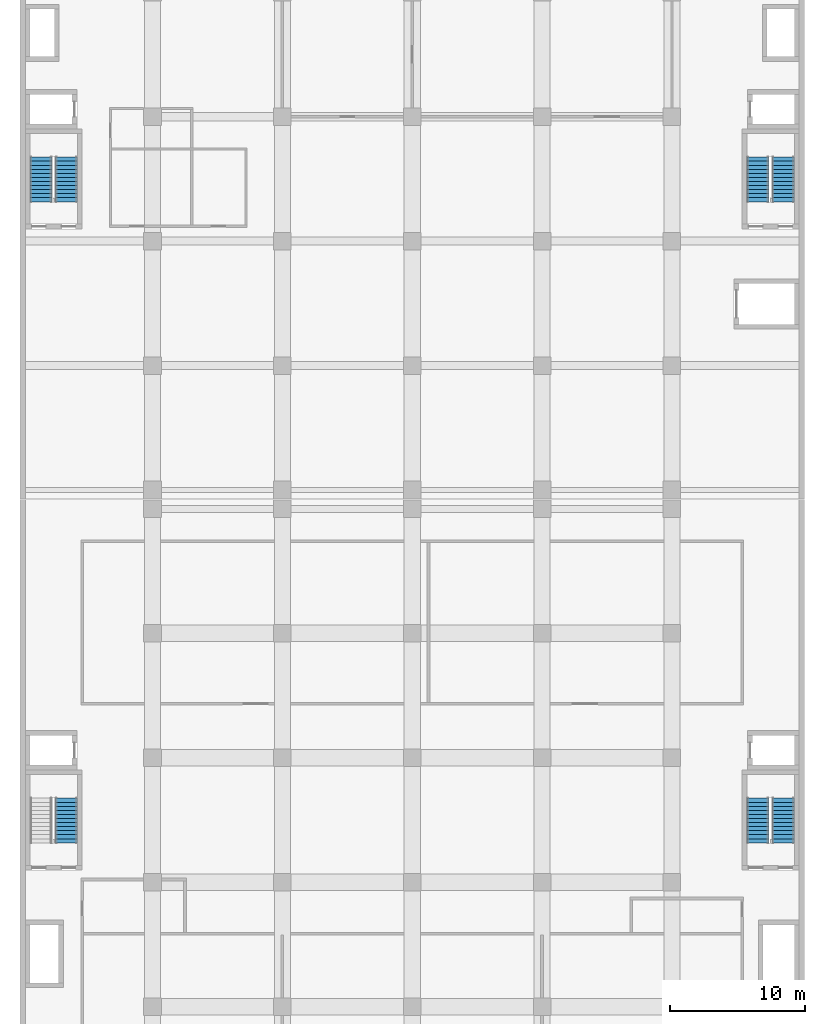
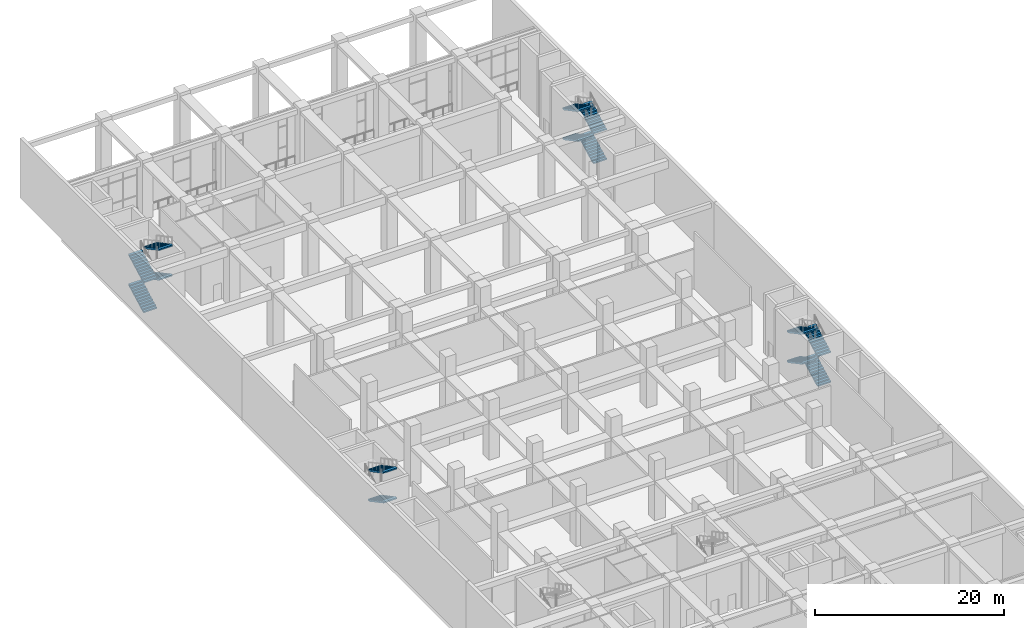
# One storey, part 18 of 33: 14 stair flights, 4 elements without a shape of their own.
"""IFC4 building model written with IfcOpenShell, lengths in metres."""

import ifcopenshell
import ifcopenshell.guid

model = None  # the IFC model being written
_history = None  # IfcOwnerHistory: only IFC2X3 demands one
_inside = {}  # id of a spatial element -> (the spatial element, [elements in it])
_under = {}  # id of a project, library or spatial element -> (it, [spatial elements below it])
_declared = {}  # id of a project -> (the project, [libraries it declares])
_typed = {}  # id of a type object -> (the type object, [elements of that type])
_made_of = {}  # id of a material, layer set ... -> (it, [elements and type objects made of it])


def new_model(schema):
    """Start an empty IFC model of exactly this schema.

    Asked for "IFC4X3", IfcOpenShell would pick the latest addendum, in which some entities
    have other attributes; the version numbers below select the first issue.
    IFC2X3 requires an IfcOwnerHistory on every rooted entity: one is made here for all.
    """
    global model, _history
    if schema == "IFC4X3":
        model = ifcopenshell.file(schema_version=(4, 3, 0, 0))
    else:
        model = ifcopenshell.file(schema=schema)
    _inside.clear()
    _under.clear()
    _declared.clear()
    _typed.clear()
    _made_of.clear()
    _history = None
    if model.schema == "IFC2X3":
        org = make("IfcOrganization", Name="unknown")
        user = make(
            "IfcPersonAndOrganization",
            ThePerson=make("IfcPerson", FamilyName="unknown"),
            TheOrganization=org,
        )
        app = make(
            "IfcApplication",
            ApplicationDeveloper=org,
            Version="unknown",
            ApplicationFullName="unknown",
            ApplicationIdentifier="unknown",
        )
        _history = make(
            "IfcOwnerHistory",
            OwningUser=user,
            OwningApplication=app,
            ChangeAction="ADDED",
            CreationDate=0,
        )
    return model


def make(cls, **values):
    """One entity of the class cls with the attributes given. An attribute that is None is left unset."""
    return model.create_entity(
        cls, **{name: value for name, value in values.items() if value is not None}
    )


def rooted(cls, **values):
    """An entity with a GlobalId (a new one), such as an element, a storey or a relation."""
    return make(cls, GlobalId=ifcopenshell.guid.new(), OwnerHistory=_history, **values)


def si_unit(unit_type, name, prefix=None):
    """IfcSIUnit, for example si_unit("LENGTHUNIT", "METRE", prefix="MILLI")."""
    return make("IfcSIUnit", UnitType=unit_type, Prefix=prefix, Name=name)


def assignment(units):
    """IfcUnitAssignment: the units of a project."""
    return None if units is None else make("IfcUnitAssignment", Units=units)


def point(xyz):
    """IfcCartesianPoint."""
    return None if xyz is None else make("IfcCartesianPoint", Coordinates=xyz)


def direction(xyz):
    """IfcDirection."""
    return None if xyz is None else make("IfcDirection", DirectionRatios=xyz)


def frame(location, z_axis=None, x_axis=None):
    """IfcAxis2Placement3D, a coordinate frame: its origin and axes. An axis left out is left unset."""
    return make(
        "IfcAxis2Placement3D",
        Location=point(location),
        Axis=direction(z_axis),
        RefDirection=direction(x_axis),
    )


def origin():
    """The frame at (0, 0, 0) with its axes left unset."""
    return frame((0.0, 0.0, 0.0))


def place(relative_to, where):
    """IfcLocalPlacement: puts the frame where relative to a parent placement (None: the world)."""
    return make(
        "IfcLocalPlacement", PlacementRelTo=relative_to, RelativePlacement=where
    )


def context(
    kind, dimensions, precision=None, world=None, true_north=None, identifier=None
):
    """IfcGeometricRepresentationContext, for example the 3D "Model" context."""
    return make(
        "IfcGeometricRepresentationContext",
        ContextIdentifier=identifier,
        ContextType=kind,
        CoordinateSpaceDimension=dimensions,
        Precision=precision,
        WorldCoordinateSystem=world,
        TrueNorth=true_north,
    )


def subcontext(parent, identifier, kind, view, scale=None):
    """IfcGeometricRepresentationSubContext, for example "Body" below "Model"."""
    return make(
        "IfcGeometricRepresentationSubContext",
        ContextIdentifier=identifier,
        ContextType=kind,
        ParentContext=parent,
        TargetScale=scale,
        TargetView=view,
    )


def project(units=None, contexts=None):
    """IfcProject with its units and contexts."""
    return rooted(
        "IfcProject",
        Name="project",
        RepresentationContexts=contexts,
        UnitsInContext=assignment(units),
    )


def spatial(cls, under=None, at=None, **own):
    """A site, building, storey or space (cls), placed at a placement, below another one or the project."""
    s = rooted(cls, ObjectPlacement=at, **own)
    if under is not None:
        _under.setdefault(under.id(), (under, []))[1].append(s)
    return s


def polyline(points):
    """IfcPolyline through the points."""
    return make("IfcPolyline", Points=[point(p) for p in points])


def outline(outer, holes=None, kind="AREA"):
    """IfcArbitraryClosedProfileDef: a profile drawn as a closed curve; with holes, ...WithVoids."""
    if holes is None:
        return make("IfcArbitraryClosedProfileDef", ProfileType=kind, OuterCurve=outer)
    return make(
        "IfcArbitraryProfileDefWithVoids",
        ProfileType=kind,
        OuterCurve=outer,
        InnerCurves=holes,
    )


def extrude(swept, where, along, depth):
    """IfcExtrudedAreaSolid: the profile swept, set in the frame where, extruded along a direction by depth."""
    return make(
        "IfcExtrudedAreaSolid",
        SweptArea=swept,
        Position=where,
        ExtrudedDirection=direction(along),
        Depth=depth,
    )


def shape(context_of_items, identifier, shape_type, items):
    """IfcShapeRepresentation: the items that make up one representation, for example the "Body"."""
    return make(
        "IfcShapeRepresentation",
        ContextOfItems=context_of_items,
        RepresentationIdentifier=identifier,
        RepresentationType=shape_type,
        Items=items,
    )


def material(Name=None, Category=None):
    """IfcMaterial."""
    return make("IfcMaterial", Name=Name, Category=Category)


def made_of(thing, what):
    """Note that an element or type object is made of a material, layer set ...; save() writes the relation."""
    if what is not None:
        _made_of.setdefault(what.id(), (what, []))[1].append(thing)
    return thing


def type_object(cls, material=None, **own):
    """A type object (cls), such as IfcWallType, which elements share."""
    return made_of(rooted(cls, **own), material)


def element(
    cls,
    number,
    at=None,
    inside=None,
    cuts=None,
    type_object=None,
    material=None,
    context=None,
    identifier="Body",
    shape_type=None,
    held_by="IfcProductDefinitionShape",
    body=None,
    shapes=None,
    **own,
):
    """One element of the class cls, such as IfcWall. Its Tag is "e" and its number.

    at: its placement. inside: the storey or other place that contains it. cuts: it is an
    opening in that element (IfcRelVoidsElement). A single representation is given by context,
    identifier, shape_type and body (its items); several are given by shapes. held_by: the class
    of the entity that holds the representations. save() writes the other relations.
    """
    e = rooted(cls, Tag="e%d" % number, ObjectPlacement=at, **own)
    if body is not None:
        shapes = [shape(context, identifier, shape_type, body)]
    if shapes is not None:
        e.Representation = make(held_by, Representations=shapes)
    if inside is not None:
        _inside.setdefault(inside.id(), (inside, []))[1].append(e)
    if cuts is not None:
        rooted(
            "IfcRelVoidsElement", RelatingBuildingElement=cuts, RelatedOpeningElement=e
        )
    if type_object is not None:
        _typed.setdefault(type_object.id(), (type_object, []))[1].append(e)
    return made_of(e, material)


def aggregate(whole, parts):
    """IfcRelAggregates: a whole, such as a stair, and the parts it consists of."""
    return rooted("IfcRelAggregates", RelatingObject=whole, RelatedObjects=parts)


def save(model, path):
    """Write the relations noted so far, then the file.

    IfcRelAggregates (storeys below a building ...), IfcRelContainedInSpatialStructure (elements
    in a storey), IfcRelDefinesByType, IfcRelAssociatesMaterial and IfcRelDeclares: one each for
    every whole, place, type object, material and project.
    """
    for whole, parts in _under.values():
        aggregate(whole, parts)
    for where, things in _inside.values():
        rooted(
            "IfcRelContainedInSpatialStructure",
            RelatedElements=things,
            RelatingStructure=where,
        )
    for kind, things in _typed.values():
        rooted("IfcRelDefinesByType", RelatedObjects=things, RelatingType=kind)
    for what, things in _made_of.values():
        rooted("IfcRelAssociatesMaterial", RelatedObjects=things, RelatingMaterial=what)
    for by, libraries in _declared.values():
        rooted("IfcRelDeclares", RelatingContext=by, RelatedDefinitions=libraries)
    model.write(path)


model = new_model("IFC4")

# Units and contexts
model_context = context("Model", 3, precision=1e-05, world=origin(), true_north=direction((0.0, 1.0)))
body_context = subcontext(model_context, "Body", "Model", "MODEL_VIEW")
ifc_project = project(units=[si_unit("LENGTHUNIT", "METRE"), si_unit("AREAUNIT", "SQUARE_METRE"), si_unit("VOLUMEUNIT", "CUBIC_METRE"), si_unit("PLANEANGLEUNIT", "RADIAN"), si_unit("MASSUNIT", "GRAM", prefix="KILO")], contexts=[model_context])

# Site, building, storey
site_placement = place(None, origin())
site = spatial("IfcSite", under=ifc_project, at=site_placement, CompositionType="ELEMENT")
building_placement = place(site_placement, origin())
building = spatial("IfcBuilding", under=site, at=building_placement, Name="Nzadi Deep Aquarium and Research Tower", CompositionType="ELEMENT")
storey_placement = place(building_placement, frame((0.0, 0.0, 6.5)))
storey = spatial("IfcBuildingStorey", under=building, at=storey_placement, Name="L01", CompositionType="ELEMENT", Elevation=6.5)

# Stair, stair flights
ifc_material_1 = material(Name="Concrete C35/45", Category="concrete")
stair_type = type_object("IfcStairType", Name="STAIR RETURN 3000", PredefinedType="NOTDEFINED", material=ifc_material_1)
stair_1_placement = place(storey_placement, origin())
stair_1 = element("IfcStair", 1, at=stair_1_placement, inside=storey, type_object=stair_type, Name="Stair ST-Z2-W L01", PredefinedType="DOUBLE_RETURN_STAIR")
ifc_material_2 = material(Name="Concrete C35/45", Category="concrete")
stair_flight_type = type_object("IfcStairFlightType", Name="FLIGHT 1625 12 RISERS 160.4", PredefinedType="STRAIGHT", material=ifc_material_2)
stair_flight_1_placement = place(storey_placement, frame((3.237548828125, 72.010009765625, 1.925048828125), z_axis=(0.0, 0.0, 1.0), x_axis=(0.0, -1.0, 0.0)))
stair_flight_1 = element("IfcStairFlight", 2, at=stair_flight_1_placement, type_object=stair_flight_type, Name="ST-Z2-W flight 2", NumberOfRisers=12, NumberOfTreads=11, PredefinedType="STRAIGHT", RiserHeight=0.160416667, TreadLength=0.3, context=body_context, shape_type="SweptSolid", body=[
    extrude(outline(polyline([(0.0, 0.0), (0.0, 0.160400390625), (0.300048828125, 0.160400390625), (0.300048828125, 0.32080078125), (0.60009765625, 0.32080078125), (0.60009765625, 0.481201171875), (0.89990234375, 0.481201171875), (0.89990234375, 0.6416015625), (1.199951171875, 0.6416015625), (1.199951171875, 0.802001953125), (1.5, 0.802001953125), (1.5, 0.96240234375), (1.800048828125, 0.96240234375), (1.800048828125, 1.122802734375), (2.10009765625, 1.122802734375), (2.10009765625, 1.283447265625), (2.39990234375, 1.283447265625), (2.39990234375, 1.44384765625), (2.699951171875, 1.44384765625), (2.699951171875, 1.604248046875), (3.0, 1.604248046875), (3.0, 1.7646484375), (3.300048828125, 1.7646484375), (3.300048828125, 1.925048828125), (3.300048828125, 1.594482421875), (0.31787109375, 0.0), (0.0, 0.0)])), frame((0.0, 0.8125, 0.0), z_axis=(0.0, -1.0, 0.0), x_axis=(1.0, 0.0, 0.0)), (0.0, 0.0, 1.0), 1.625),
])
stair_flight_2_placement = place(storey_placement, frame((3.237548828125, 72.010009765625, 5.77490234375), z_axis=(0.0, 0.0, 1.0), x_axis=(0.0, -1.0, 0.0)))
stair_flight_2 = element("IfcStairFlight", 3, at=stair_flight_2_placement, type_object=stair_flight_type, Name="ST-Z2-W flight 4", NumberOfRisers=12, NumberOfTreads=11, PredefinedType="STRAIGHT", RiserHeight=0.160416667, TreadLength=0.3, context=body_context, shape_type="SweptSolid", body=[
    extrude(outline(polyline([(0.0, 0.0), (0.0, 0.160400390625), (0.300048828125, 0.160400390625), (0.300048828125, 0.32080078125), (0.60009765625, 0.32080078125), (0.60009765625, 0.481201171875), (0.89990234375, 0.481201171875), (0.89990234375, 0.6416015625), (1.199951171875, 0.6416015625), (1.199951171875, 0.802001953125), (1.5, 0.802001953125), (1.5, 0.96240234375), (1.800048828125, 0.96240234375), (1.800048828125, 1.122802734375), (2.10009765625, 1.122802734375), (2.10009765625, 1.283447265625), (2.39990234375, 1.283447265625), (2.39990234375, 1.44384765625), (2.699951171875, 1.44384765625), (2.699951171875, 1.604248046875), (3.0, 1.604248046875), (3.0, 1.7646484375), (3.300048828125, 1.7646484375), (3.300048828125, 1.925048828125), (3.300048828125, 1.594482421875), (0.31787109375, 0.0), (0.0, 0.0)])), frame((0.0, 0.8125, 0.0), z_axis=(0.0, -1.0, 0.0), x_axis=(1.0, 0.0, 0.0)), (0.0, 0.0, 1.0), 1.625),
])
aggregate(stair_1, [stair_flight_1, stair_flight_2])

stair_2_placement = place(storey_placement, origin())
stair_2 = element("IfcStair", 4, at=stair_2_placement, inside=storey, type_object=stair_type, Name="Stair ST-Z2-E L01", PredefinedType="DOUBLE_RETURN_STAIR")
stair_flight_3_placement = place(storey_placement, frame((56.237548828125, 68.7099609375, 0.0), z_axis=(0.0, 0.0, 1.0), x_axis=(0.0, 1.0, 0.0)))
stair_flight_3 = element("IfcStairFlight", 5, at=stair_flight_3_placement, type_object=stair_flight_type, Name="ST-Z2-E flight 1", NumberOfRisers=12, NumberOfTreads=11, PredefinedType="STRAIGHT", RiserHeight=0.160416667, TreadLength=0.3, context=body_context, shape_type="SweptSolid", body=[
    extrude(outline(polyline([(0.0, 0.0), (0.0, 0.160400390625), (0.300048828125, 0.160400390625), (0.300048828125, 0.32080078125), (0.60009765625, 0.32080078125), (0.60009765625, 0.481201171875), (0.89990234375, 0.481201171875), (0.89990234375, 0.6416015625), (1.199951171875, 0.6416015625), (1.199951171875, 0.802001953125), (1.5, 0.802001953125), (1.5, 0.96240234375), (1.800048828125, 0.96240234375), (1.800048828125, 1.122802734375), (2.10009765625, 1.122802734375), (2.10009765625, 1.283447265625), (2.39990234375, 1.283447265625), (2.39990234375, 1.44384765625), (2.699951171875, 1.44384765625), (2.699951171875, 1.604248046875), (3.0, 1.604248046875), (3.0, 1.7646484375), (3.300048828125, 1.7646484375), (3.300048828125, 1.925048828125), (3.300048828125, 1.594482421875), (0.31787109375, 0.0), (0.0, 0.0)])), frame((0.0, 0.8125, 0.0), z_axis=(0.0, -1.0, 0.0), x_axis=(1.0, 0.0, 0.0)), (0.0, 0.0, 1.0), 1.625),
])
stair_flight_4_placement = place(storey_placement, frame((54.362548828125, 72.010009765625, 1.925048828125), z_axis=(0.0, 0.0, 1.0), x_axis=(0.0, -1.0, 0.0)))
stair_flight_4 = element("IfcStairFlight", 6, at=stair_flight_4_placement, type_object=stair_flight_type, Name="ST-Z2-E flight 2", NumberOfRisers=12, NumberOfTreads=11, PredefinedType="STRAIGHT", RiserHeight=0.160416667, TreadLength=0.3, context=body_context, shape_type="SweptSolid", body=[
    extrude(outline(polyline([(0.0, 0.0), (0.0, 0.160400390625), (0.300048828125, 0.160400390625), (0.300048828125, 0.32080078125), (0.60009765625, 0.32080078125), (0.60009765625, 0.481201171875), (0.89990234375, 0.481201171875), (0.89990234375, 0.6416015625), (1.199951171875, 0.6416015625), (1.199951171875, 0.802001953125), (1.5, 0.802001953125), (1.5, 0.96240234375), (1.800048828125, 0.96240234375), (1.800048828125, 1.122802734375), (2.10009765625, 1.122802734375), (2.10009765625, 1.283447265625), (2.39990234375, 1.283447265625), (2.39990234375, 1.44384765625), (2.699951171875, 1.44384765625), (2.699951171875, 1.604248046875), (3.0, 1.604248046875), (3.0, 1.7646484375), (3.300048828125, 1.7646484375), (3.300048828125, 1.925048828125), (3.300048828125, 1.594482421875), (0.31787109375, 0.0), (0.0, 0.0)])), frame((0.0, 0.8125, 0.0), z_axis=(0.0, -1.0, 0.0), x_axis=(1.0, 0.0, 0.0)), (0.0, 0.0, 1.0), 1.625),
])
stair_flight_5_placement = place(storey_placement, frame((56.237548828125, 68.7099609375, 3.85009765625), z_axis=(0.0, 0.0, 1.0), x_axis=(0.0, 1.0, 0.0)))
stair_flight_5 = element("IfcStairFlight", 7, at=stair_flight_5_placement, type_object=stair_flight_type, Name="ST-Z2-E flight 3", NumberOfRisers=12, NumberOfTreads=11, PredefinedType="STRAIGHT", RiserHeight=0.160416667, TreadLength=0.3, context=body_context, shape_type="SweptSolid", body=[
    extrude(outline(polyline([(0.0, 0.0), (0.0, 0.160400390625), (0.300048828125, 0.160400390625), (0.300048828125, 0.32080078125), (0.60009765625, 0.32080078125), (0.60009765625, 0.481201171875), (0.89990234375, 0.481201171875), (0.89990234375, 0.6416015625), (1.199951171875, 0.6416015625), (1.199951171875, 0.802001953125), (1.5, 0.802001953125), (1.5, 0.96240234375), (1.800048828125, 0.96240234375), (1.800048828125, 1.122802734375), (2.10009765625, 1.122802734375), (2.10009765625, 1.283447265625), (2.39990234375, 1.283447265625), (2.39990234375, 1.44384765625), (2.699951171875, 1.44384765625), (2.699951171875, 1.604248046875), (3.0, 1.604248046875), (3.0, 1.7646484375), (3.300048828125, 1.7646484375), (3.300048828125, 1.925048828125), (3.300048828125, 1.594482421875), (0.31787109375, 0.0), (0.0, 0.0)])), frame((0.0, 0.8125, 0.0), z_axis=(0.0, -1.0, 0.0), x_axis=(1.0, 0.0, 0.0)), (0.0, 0.0, 1.0), 1.625),
])
stair_flight_6_placement = place(storey_placement, frame((54.362548828125, 72.010009765625, 5.77490234375), z_axis=(0.0, 0.0, 1.0), x_axis=(0.0, -1.0, 0.0)))
stair_flight_6 = element("IfcStairFlight", 8, at=stair_flight_6_placement, type_object=stair_flight_type, Name="ST-Z2-E flight 4", NumberOfRisers=12, NumberOfTreads=11, PredefinedType="STRAIGHT", RiserHeight=0.160416667, TreadLength=0.3, context=body_context, shape_type="SweptSolid", body=[
    extrude(outline(polyline([(0.0, 0.0), (0.0, 0.160400390625), (0.300048828125, 0.160400390625), (0.300048828125, 0.32080078125), (0.60009765625, 0.32080078125), (0.60009765625, 0.481201171875), (0.89990234375, 0.481201171875), (0.89990234375, 0.6416015625), (1.199951171875, 0.6416015625), (1.199951171875, 0.802001953125), (1.5, 0.802001953125), (1.5, 0.96240234375), (1.800048828125, 0.96240234375), (1.800048828125, 1.122802734375), (2.10009765625, 1.122802734375), (2.10009765625, 1.283447265625), (2.39990234375, 1.283447265625), (2.39990234375, 1.44384765625), (2.699951171875, 1.44384765625), (2.699951171875, 1.604248046875), (3.0, 1.604248046875), (3.0, 1.7646484375), (3.300048828125, 1.7646484375), (3.300048828125, 1.925048828125), (3.300048828125, 1.594482421875), (0.31787109375, 0.0), (0.0, 0.0)])), frame((0.0, 0.8125, 0.0), z_axis=(0.0, -1.0, 0.0), x_axis=(1.0, 0.0, 0.0)), (0.0, 0.0, 1.0), 1.625),
])
aggregate(stair_2, [stair_flight_3, stair_flight_4, stair_flight_5, stair_flight_6])

stair_3_placement = place(storey_placement, origin())
stair_3 = element("IfcStair", 9, at=stair_3_placement, inside=storey, type_object=stair_type, Name="Stair ST-Z3-W L01", PredefinedType="DOUBLE_RETURN_STAIR")
stair_flight_7_placement = place(storey_placement, frame((1.362548828125, 116.110107421875, 0.0), z_axis=(0.0, 0.0, 1.0), x_axis=(0.0, 1.0, 0.0)))
stair_flight_7 = element("IfcStairFlight", 10, at=stair_flight_7_placement, type_object=stair_flight_type, Name="ST-Z3-W flight 1", NumberOfRisers=12, NumberOfTreads=11, PredefinedType="STRAIGHT", RiserHeight=0.160416667, TreadLength=0.3, context=body_context, shape_type="SweptSolid", body=[
    extrude(outline(polyline([(0.0, 0.0), (0.0, 0.160400390625), (0.300048828125, 0.160400390625), (0.300048828125, 0.32080078125), (0.60009765625, 0.32080078125), (0.60009765625, 0.481201171875), (0.89990234375, 0.481201171875), (0.89990234375, 0.6416015625), (1.199951171875, 0.6416015625), (1.199951171875, 0.802001953125), (1.5, 0.802001953125), (1.5, 0.96240234375), (1.800048828125, 0.96240234375), (1.800048828125, 1.122802734375), (2.10009765625, 1.122802734375), (2.10009765625, 1.283447265625), (2.39990234375, 1.283447265625), (2.39990234375, 1.44384765625), (2.699951171875, 1.44384765625), (2.699951171875, 1.604248046875), (3.0, 1.604248046875), (3.0, 1.7646484375), (3.300048828125, 1.7646484375), (3.300048828125, 1.925048828125), (3.300048828125, 1.594482421875), (0.31787109375, 0.0), (0.0, 0.0)])), frame((0.0, 0.8125, 0.0), z_axis=(0.0, -1.0, 0.0), x_axis=(1.0, 0.0, 0.0)), (0.0, 0.0, 1.0), 1.625),
])
stair_flight_8_placement = place(storey_placement, frame((3.237548828125, 119.409912109375, 1.925048828125), z_axis=(0.0, 0.0, 1.0), x_axis=(0.0, -1.0, 0.0)))
stair_flight_8 = element("IfcStairFlight", 11, at=stair_flight_8_placement, type_object=stair_flight_type, Name="ST-Z3-W flight 2", NumberOfRisers=12, NumberOfTreads=11, PredefinedType="STRAIGHT", RiserHeight=0.160416667, TreadLength=0.3, context=body_context, shape_type="SweptSolid", body=[
    extrude(outline(polyline([(0.0, 0.0), (0.0, 0.160400390625), (0.300048828125, 0.160400390625), (0.300048828125, 0.32080078125), (0.60009765625, 0.32080078125), (0.60009765625, 0.481201171875), (0.89990234375, 0.481201171875), (0.89990234375, 0.6416015625), (1.199951171875, 0.6416015625), (1.199951171875, 0.802001953125), (1.5, 0.802001953125), (1.5, 0.96240234375), (1.800048828125, 0.96240234375), (1.800048828125, 1.122802734375), (2.10009765625, 1.122802734375), (2.10009765625, 1.283447265625), (2.39990234375, 1.283447265625), (2.39990234375, 1.44384765625), (2.699951171875, 1.44384765625), (2.699951171875, 1.604248046875), (3.0, 1.604248046875), (3.0, 1.7646484375), (3.300048828125, 1.7646484375), (3.300048828125, 1.925048828125), (3.300048828125, 1.594482421875), (0.31787109375, 0.0), (0.0, 0.0)])), frame((0.0, 0.8125, 0.0), z_axis=(0.0, -1.0, 0.0), x_axis=(1.0, 0.0, 0.0)), (0.0, 0.0, 1.0), 1.625),
])
stair_flight_9_placement = place(storey_placement, frame((1.362548828125, 116.110107421875, 3.85009765625), z_axis=(0.0, 0.0, 1.0), x_axis=(0.0, 1.0, 0.0)))
stair_flight_9 = element("IfcStairFlight", 12, at=stair_flight_9_placement, type_object=stair_flight_type, Name="ST-Z3-W flight 3", NumberOfRisers=12, NumberOfTreads=11, PredefinedType="STRAIGHT", RiserHeight=0.160416667, TreadLength=0.3, context=body_context, shape_type="SweptSolid", body=[
    extrude(outline(polyline([(0.0, 0.0), (0.0, 0.160400390625), (0.300048828125, 0.160400390625), (0.300048828125, 0.32080078125), (0.60009765625, 0.32080078125), (0.60009765625, 0.481201171875), (0.89990234375, 0.481201171875), (0.89990234375, 0.6416015625), (1.199951171875, 0.6416015625), (1.199951171875, 0.802001953125), (1.5, 0.802001953125), (1.5, 0.96240234375), (1.800048828125, 0.96240234375), (1.800048828125, 1.122802734375), (2.10009765625, 1.122802734375), (2.10009765625, 1.283447265625), (2.39990234375, 1.283447265625), (2.39990234375, 1.44384765625), (2.699951171875, 1.44384765625), (2.699951171875, 1.604248046875), (3.0, 1.604248046875), (3.0, 1.7646484375), (3.300048828125, 1.7646484375), (3.300048828125, 1.925048828125), (3.300048828125, 1.594482421875), (0.31787109375, 0.0), (0.0, 0.0)])), frame((0.0, 0.8125, 0.0), z_axis=(0.0, -1.0, 0.0), x_axis=(1.0, 0.0, 0.0)), (0.0, 0.0, 1.0), 1.625),
])
stair_flight_10_placement = place(storey_placement, frame((3.237548828125, 119.409912109375, 5.77490234375), z_axis=(0.0, 0.0, 1.0), x_axis=(0.0, -1.0, 0.0)))
stair_flight_10 = element("IfcStairFlight", 13, at=stair_flight_10_placement, type_object=stair_flight_type, Name="ST-Z3-W flight 4", NumberOfRisers=12, NumberOfTreads=11, PredefinedType="STRAIGHT", RiserHeight=0.160416667, TreadLength=0.3, context=body_context, shape_type="SweptSolid", body=[
    extrude(outline(polyline([(0.0, 0.0), (0.0, 0.160400390625), (0.300048828125, 0.160400390625), (0.300048828125, 0.32080078125), (0.60009765625, 0.32080078125), (0.60009765625, 0.481201171875), (0.89990234375, 0.481201171875), (0.89990234375, 0.6416015625), (1.199951171875, 0.6416015625), (1.199951171875, 0.802001953125), (1.5, 0.802001953125), (1.5, 0.96240234375), (1.800048828125, 0.96240234375), (1.800048828125, 1.122802734375), (2.10009765625, 1.122802734375), (2.10009765625, 1.283447265625), (2.39990234375, 1.283447265625), (2.39990234375, 1.44384765625), (2.699951171875, 1.44384765625), (2.699951171875, 1.604248046875), (3.0, 1.604248046875), (3.0, 1.7646484375), (3.300048828125, 1.7646484375), (3.300048828125, 1.925048828125), (3.300048828125, 1.594482421875), (0.31787109375, 0.0), (0.0, 0.0)])), frame((0.0, 0.8125, 0.0), z_axis=(0.0, -1.0, 0.0), x_axis=(1.0, 0.0, 0.0)), (0.0, 0.0, 1.0), 1.625),
])
aggregate(stair_3, [stair_flight_7, stair_flight_8, stair_flight_9, stair_flight_10])

stair_4_placement = place(storey_placement, origin())
stair_4 = element("IfcStair", 14, at=stair_4_placement, inside=storey, type_object=stair_type, Name="Stair ST-Z3-E L01", PredefinedType="DOUBLE_RETURN_STAIR")
stair_flight_11_placement = place(storey_placement, frame((56.237548828125, 116.110107421875, 0.0), z_axis=(0.0, 0.0, 1.0), x_axis=(0.0, 1.0, 0.0)))
stair_flight_11 = element("IfcStairFlight", 15, at=stair_flight_11_placement, type_object=stair_flight_type, Name="ST-Z3-E flight 1", NumberOfRisers=12, NumberOfTreads=11, PredefinedType="STRAIGHT", RiserHeight=0.160416667, TreadLength=0.3, context=body_context, shape_type="SweptSolid", body=[
    extrude(outline(polyline([(0.0, 0.0), (0.0, 0.160400390625), (0.300048828125, 0.160400390625), (0.300048828125, 0.32080078125), (0.60009765625, 0.32080078125), (0.60009765625, 0.481201171875), (0.89990234375, 0.481201171875), (0.89990234375, 0.6416015625), (1.199951171875, 0.6416015625), (1.199951171875, 0.802001953125), (1.5, 0.802001953125), (1.5, 0.96240234375), (1.800048828125, 0.96240234375), (1.800048828125, 1.122802734375), (2.10009765625, 1.122802734375), (2.10009765625, 1.283447265625), (2.39990234375, 1.283447265625), (2.39990234375, 1.44384765625), (2.699951171875, 1.44384765625), (2.699951171875, 1.604248046875), (3.0, 1.604248046875), (3.0, 1.7646484375), (3.300048828125, 1.7646484375), (3.300048828125, 1.925048828125), (3.300048828125, 1.594482421875), (0.31787109375, 0.0), (0.0, 0.0)])), frame((0.0, 0.8125, 0.0), z_axis=(0.0, -1.0, 0.0), x_axis=(1.0, 0.0, 0.0)), (0.0, 0.0, 1.0), 1.625),
])
stair_flight_12_placement = place(storey_placement, frame((54.362548828125, 119.409912109375, 1.925048828125), z_axis=(0.0, 0.0, 1.0), x_axis=(0.0, -1.0, 0.0)))
stair_flight_12 = element("IfcStairFlight", 16, at=stair_flight_12_placement, type_object=stair_flight_type, Name="ST-Z3-E flight 2", NumberOfRisers=12, NumberOfTreads=11, PredefinedType="STRAIGHT", RiserHeight=0.160416667, TreadLength=0.3, context=body_context, shape_type="SweptSolid", body=[
    extrude(outline(polyline([(0.0, 0.0), (0.0, 0.160400390625), (0.300048828125, 0.160400390625), (0.300048828125, 0.32080078125), (0.60009765625, 0.32080078125), (0.60009765625, 0.481201171875), (0.89990234375, 0.481201171875), (0.89990234375, 0.6416015625), (1.199951171875, 0.6416015625), (1.199951171875, 0.802001953125), (1.5, 0.802001953125), (1.5, 0.96240234375), (1.800048828125, 0.96240234375), (1.800048828125, 1.122802734375), (2.10009765625, 1.122802734375), (2.10009765625, 1.283447265625), (2.39990234375, 1.283447265625), (2.39990234375, 1.44384765625), (2.699951171875, 1.44384765625), (2.699951171875, 1.604248046875), (3.0, 1.604248046875), (3.0, 1.7646484375), (3.300048828125, 1.7646484375), (3.300048828125, 1.925048828125), (3.300048828125, 1.594482421875), (0.31787109375, 0.0), (0.0, 0.0)])), frame((0.0, 0.8125, 0.0), z_axis=(0.0, -1.0, 0.0), x_axis=(1.0, 0.0, 0.0)), (0.0, 0.0, 1.0), 1.625),
])
stair_flight_13_placement = place(storey_placement, frame((56.237548828125, 116.110107421875, 3.85009765625), z_axis=(0.0, 0.0, 1.0), x_axis=(0.0, 1.0, 0.0)))
stair_flight_13 = element("IfcStairFlight", 17, at=stair_flight_13_placement, type_object=stair_flight_type, Name="ST-Z3-E flight 3", NumberOfRisers=12, NumberOfTreads=11, PredefinedType="STRAIGHT", RiserHeight=0.160416667, TreadLength=0.3, context=body_context, shape_type="SweptSolid", body=[
    extrude(outline(polyline([(0.0, 0.0), (0.0, 0.160400390625), (0.300048828125, 0.160400390625), (0.300048828125, 0.32080078125), (0.60009765625, 0.32080078125), (0.60009765625, 0.481201171875), (0.89990234375, 0.481201171875), (0.89990234375, 0.6416015625), (1.199951171875, 0.6416015625), (1.199951171875, 0.802001953125), (1.5, 0.802001953125), (1.5, 0.96240234375), (1.800048828125, 0.96240234375), (1.800048828125, 1.122802734375), (2.10009765625, 1.122802734375), (2.10009765625, 1.283447265625), (2.39990234375, 1.283447265625), (2.39990234375, 1.44384765625), (2.699951171875, 1.44384765625), (2.699951171875, 1.604248046875), (3.0, 1.604248046875), (3.0, 1.7646484375), (3.300048828125, 1.7646484375), (3.300048828125, 1.925048828125), (3.300048828125, 1.594482421875), (0.31787109375, 0.0), (0.0, 0.0)])), frame((0.0, 0.8125, 0.0), z_axis=(0.0, -1.0, 0.0), x_axis=(1.0, 0.0, 0.0)), (0.0, 0.0, 1.0), 1.625),
])
stair_flight_14_placement = place(storey_placement, frame((54.362548828125, 119.409912109375, 5.77490234375), z_axis=(0.0, 0.0, 1.0), x_axis=(0.0, -1.0, 0.0)))
stair_flight_14 = element("IfcStairFlight", 18, at=stair_flight_14_placement, type_object=stair_flight_type, Name="ST-Z3-E flight 4", NumberOfRisers=12, NumberOfTreads=11, PredefinedType="STRAIGHT", RiserHeight=0.160416667, TreadLength=0.3, context=body_context, shape_type="SweptSolid", body=[
    extrude(outline(polyline([(0.0, 0.0), (0.0, 0.160400390625), (0.300048828125, 0.160400390625), (0.300048828125, 0.32080078125), (0.60009765625, 0.32080078125), (0.60009765625, 0.481201171875), (0.89990234375, 0.481201171875), (0.89990234375, 0.6416015625), (1.199951171875, 0.6416015625), (1.199951171875, 0.802001953125), (1.5, 0.802001953125), (1.5, 0.96240234375), (1.800048828125, 0.96240234375), (1.800048828125, 1.122802734375), (2.10009765625, 1.122802734375), (2.10009765625, 1.283447265625), (2.39990234375, 1.283447265625), (2.39990234375, 1.44384765625), (2.699951171875, 1.44384765625), (2.699951171875, 1.604248046875), (3.0, 1.604248046875), (3.0, 1.7646484375), (3.300048828125, 1.7646484375), (3.300048828125, 1.925048828125), (3.300048828125, 1.594482421875), (0.31787109375, 0.0), (0.0, 0.0)])), frame((0.0, 0.8125, 0.0), z_axis=(0.0, -1.0, 0.0), x_axis=(1.0, 0.0, 0.0)), (0.0, 0.0, 1.0), 1.625),
])
aggregate(stair_4, [stair_flight_11, stair_flight_12, stair_flight_13, stair_flight_14])

save(model, "model.ifc")
